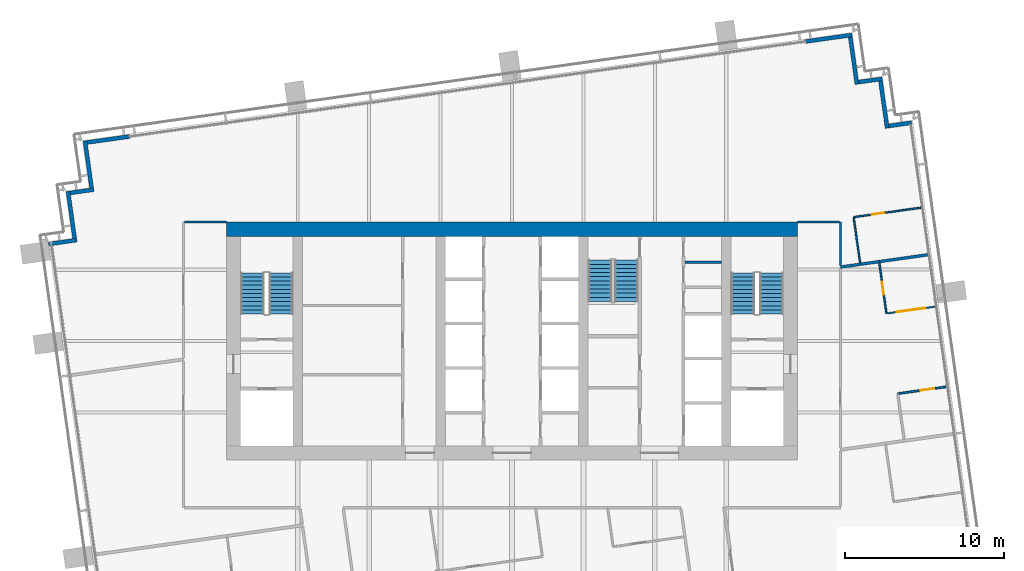
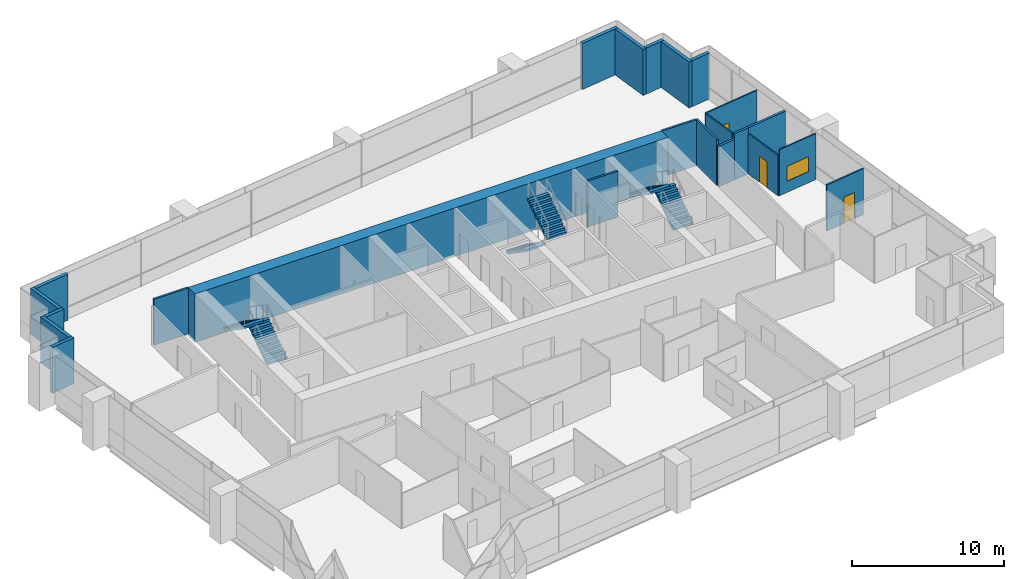
# One storey, part 12 of 18: 23 walls, 6 stair flights, 3 doors, 1 window, 4 openings, 3 elements without a shape of their own.
"""IFC4 building model written with IfcOpenShell, lengths in metres."""

from ifc_helpers import new_model, si_unit, direction, frame, frame_2d, origin, place, context, subcontext, project, spatial, polyline, rectangle, outline, extrude, material, layer, layer_set, type_object, element, fill, aggregate, save


model = new_model("IFC4")

# Units and contexts
model_context = context("Model", 3, precision=1e-05, world=origin(), true_north=direction((0.0, 1.0)))
body_context = subcontext(model_context, "Body", "Model", "MODEL_VIEW")
ifc_project = project(units=[si_unit("LENGTHUNIT", "METRE"), si_unit("AREAUNIT", "SQUARE_METRE"), si_unit("VOLUMEUNIT", "CUBIC_METRE"), si_unit("PLANEANGLEUNIT", "RADIAN"), si_unit("MASSUNIT", "GRAM", prefix="KILO")], contexts=[model_context])

# Site, building, storey
site_placement = place(None, origin())
site = spatial("IfcSite", under=ifc_project, at=site_placement, CompositionType="ELEMENT")
building_placement = place(site_placement, origin())
building = spatial("IfcBuilding", under=site, at=building_placement, Name="Rattan Terrace Tower", CompositionType="ELEMENT")
storey_placement = place(building_placement, frame((0.0, 0.0, 188.0)))
storey = spatial("IfcBuildingStorey", under=building, at=storey_placement, Name="L43", CompositionType="ELEMENT", Elevation=188.0)

# Walls
ifc_material_1 = material(Name="Gypsum board partition")
ifc_layer_1 = layer(ifc_material_1, 0.14990234375)
ifc_layer_set_1 = layer_set([ifc_layer_1], Name="Core partition 150")
wall_type_1 = type_object("IfcWallType", Name="Core partition 150", PredefinedType="PARTITIONING", material=ifc_layer_set_1)
wall_1_placement = place(storey_placement, frame((10.89990234375, 4.968017578125, 0.0), z_axis=(0.0, 0.0, 1.0), x_axis=(1.0, 0.0, 0.0)))
element("IfcWall", 1, at=wall_1_placement, inside=storey, type_object=wall_type_1, Name="Riser room wall", PredefinedType="PARTITIONING", context=body_context, shape_type="SweptSolid", body=[
    extrude(rectangle(XDim=2.300048828125, YDim=0.14990234375, at=frame_2d((1.14990234375, 0.0))), origin(), (0.0, 0.0, 1.0), 3.699951171875),
])
ifc_material_2 = material(Name="Concrete C60/75", Category="concrete")
ifc_layer_2 = layer(ifc_material_2, 0.89990234375)
ifc_layer_set_2 = layer_set([ifc_layer_2], Name="Core ring wall 900 C60/75")
wall_type_2 = type_object("IfcWallType", Name="Core ring wall 900 C60/75", PredefinedType="SHEAR", material=ifc_layer_set_2)
wall_2_placement = place(storey_placement, frame((-18.0, 7.050048828125, -0.199951171875), z_axis=(0.0, 0.0, 1.0), x_axis=(1.0, 0.0, 0.0)))
element("IfcWall", 2, at=wall_2_placement, inside=storey, type_object=wall_type_2, Name="Rear core wall north", PredefinedType="SHEAR", context=body_context, shape_type="SweptSolid", body=[
    extrude(rectangle(XDim=36.0, YDim=0.89990234375, at=frame_2d((18.0, 0.0))), origin(), (0.0, 0.0, 1.0), 3.89990234375),
])
ifc_material_3 = material(Name="Insulated aluminium-clad stud wall", Category="aluminium")
ifc_layer_3 = layer(ifc_material_3, 0.25)
ifc_layer_set_3 = layer_set([ifc_layer_3], Name="Facade Riser Wall 250")
wall_type_3 = type_object("IfcWallType", Name="Facade Riser Wall 250", PredefinedType="SOLIDWALL", material=ifc_layer_set_3)
wall_3_placement = place(storey_placement, frame((25.18359375, 13.758056640625, 0.0), z_axis=(0.0, 0.0, 1.0), x_axis=(-0.9902493448, -0.13930626376, 0.0)))
element("IfcWall", 3, at=wall_3_placement, inside=storey, type_object=wall_type_3, Name="Riser wall L43-6", PredefinedType="SOLIDWALL", context=body_context, shape_type="SweptSolid", body=[
    extrude(rectangle(XDim=1.45458984375, YDim=0.25, at=frame_2d((0.727294921875, 0.0))), origin(), (0.0, 0.0, 1.0), 3.699951171875),
])
wall_4_placement = place(storey_placement, frame((23.63671875, 13.414306640625, 0.0), z_axis=(0.0, 0.0, 1.0), x_axis=(-0.139313431826, 0.990248336385, 0.0)))
element("IfcWall", 4, at=wall_4_placement, inside=storey, type_object=wall_type_3, Name="Riser wall L43-7", PredefinedType="SOLIDWALL", context=body_context, shape_type="SweptSolid", body=[
    extrude(rectangle(XDim=3.000244140625, YDim=0.25, at=frame_2d((1.5, 0.0))), origin(), (0.0, 0.0, 1.0), 3.699951171875),
])
wall_5_placement = place(storey_placement, frame((23.3251953125, 16.5263671875, 0.0), z_axis=(0.0, 0.0, 1.0), x_axis=(-0.990243596651, -0.13934711799, 0.0)))
element("IfcWall", 5, at=wall_5_placement, inside=storey, type_object=wall_type_3, Name="Riser wall L43-8", PredefinedType="SOLIDWALL", context=body_context, shape_type="SweptSolid", body=[
    extrude(rectangle(XDim=1.499755859375, YDim=0.25, at=frame_2d((0.75, 0.0))), origin(), (0.0, 0.0, 1.0), 3.699951171875),
])
wall_6_placement = place(storey_placement, frame((21.733642578125, 16.17626953125, 0.0), z_axis=(0.0, 0.0, 1.0), x_axis=(-0.139313431826, 0.990248336385, 0.0)))
element("IfcWall", 6, at=wall_6_placement, inside=storey, type_object=wall_type_3, Name="Riser wall L43-9", PredefinedType="SOLIDWALL", context=body_context, shape_type="SweptSolid", body=[
    extrude(rectangle(XDim=3.000244140625, YDim=0.25, at=frame_2d((1.5, 0.0))), origin(), (0.0, 0.0, 1.0), 3.699951171875),
])
wall_7_placement = place(storey_placement, frame((21.422119140625, 19.288330078125, 0.0), z_axis=(0.0, 0.0, 1.0), x_axis=(-0.990246427036, -0.139327002919, 0.0)))
element("IfcWall", 7, at=wall_7_placement, inside=storey, type_object=wall_type_3, Name="Riser wall L43-10", PredefinedType="SOLIDWALL", context=body_context, shape_type="SweptSolid", body=[
    extrude(rectangle(XDim=2.954345703125, YDim=0.25, at=frame_2d((1.47705078125, 0.0))), origin(), (0.0, 0.0, 1.0), 3.699951171875),
])
wall_8_placement = place(storey_placement, frame((-24.08544921875, 12.892578125, 0.0), z_axis=(0.0, 0.0, 1.0), x_axis=(-0.990255800966, -0.139260362823, 0.0)))
element("IfcWall", 8, at=wall_8_placement, inside=storey, type_object=wall_type_3, Name="Riser wall L43-11", PredefinedType="SOLIDWALL", context=body_context, shape_type="SweptSolid", body=[
    extrude(rectangle(XDim=2.705078125, YDim=0.25, at=frame_2d((1.3525390625, 0.0))), origin(), (0.0, 0.0, 1.0), 3.699951171875),
])
wall_9_placement = place(storey_placement, frame((-26.9052734375, 12.6220703125, 0.0), z_axis=(0.0, 0.0, 1.0), x_axis=(0.139313431826, -0.990248336385, 0.0)))
element("IfcWall", 9, at=wall_9_placement, inside=storey, type_object=wall_type_3, Name="Riser wall L43-12", PredefinedType="SOLIDWALL", context=body_context, shape_type="SweptSolid", body=[
    extrude(rectangle(XDim=3.000244140625, YDim=0.25, at=frame_2d((1.5, 0.0))), origin(), (0.0, 0.0, 1.0), 3.699951171875),
])
wall_10_placement = place(storey_placement, frame((-26.34619140625, 9.54443359375, 0.0), z_axis=(0.0, 0.0, 1.0), x_axis=(-0.990368090482, -0.13845954411, 0.0)))
element("IfcWall", 10, at=wall_10_placement, inside=storey, type_object=wall_type_3, Name="Riser wall L43-13", PredefinedType="SOLIDWALL", context=body_context, shape_type="SweptSolid", body=[
    extrude(rectangle(XDim=1.50048828125, YDim=0.25, at=frame_2d((0.750244140625, 0.0))), origin(), (0.0, 0.0, 1.0), 3.699951171875),
])
wall_11_placement = place(storey_placement, frame((-27.973388671875, 9.443115234375, 0.0), z_axis=(0.0, 0.0, 1.0), x_axis=(0.139313431826, -0.990248336385, 0.0)))
element("IfcWall", 11, at=wall_11_placement, inside=storey, type_object=wall_type_3, Name="Riser wall L43-14", PredefinedType="SOLIDWALL", context=body_context, shape_type="SweptSolid", body=[
    extrude(rectangle(XDim=3.000244140625, YDim=0.25, at=frame_2d((1.5, 0.0))), origin(), (0.0, 0.0, 1.0), 3.699951171875),
])
wall_12_placement = place(storey_placement, frame((-27.414306640625, 6.36572265625, 0.0), z_axis=(0.0, 0.0, 1.0), x_axis=(-0.990256286673, -0.139256908998, 0.0)))
element("IfcWall", 12, at=wall_12_placement, inside=storey, type_object=wall_type_3, Name="Riser wall L43-15", PredefinedType="SOLIDWALL", context=body_context, shape_type="SweptSolid", body=[
    extrude(rectangle(XDim=1.800537109375, YDim=0.25, at=frame_2d((0.900390625, 0.0))), origin(), (0.0, 0.0, 1.0), 3.699951171875),
])
ifc_material_4 = material(Name="Double steel stud acoustic partition, gypsum board, mineral wool, fire rated", Category="steel")
ifc_layer_4 = layer(ifc_material_4, 0.179931640625)
ifc_layer_set_4 = layer_set([ifc_layer_4], Name="Floors Acoustic Party Wall 180")
wall_type_4 = type_object("IfcWallType", Name="Floors Acoustic Party Wall 180", PredefinedType="PARTITIONING", material=ifc_layer_set_4)
wall_13_placement = place(storey_placement, frame((20.699951171875, 4.6650390625, 0.0), z_axis=(0.0, 0.0, 1.0), x_axis=(0.99023431529, 0.139413058294, 0.0)))
element("IfcWall", 13, at=wall_13_placement, inside=storey, type_object=wall_type_4, Name="pt-L43-044", PredefinedType="PARTITIONING", context=body_context, shape_type="SweptSolid", body=[
    extrude(rectangle(XDim=1.276611328125, YDim=0.179931640625, at=frame_2d((0.63818359375, 0.0))), origin(), (0.0, 0.0, 1.0), 3.25),
])
wall_14_placement = place(storey_placement, frame((21.964111328125, 4.843017578125, 0.0), z_axis=(0.0, 0.0, 1.0), x_axis=(0.990277975586, 0.139102591888, 0.0)))
element("IfcWall", 14, at=wall_14_placement, inside=storey, type_object=wall_type_4, Name="pt-L43-045", PredefinedType="PARTITIONING", context=body_context, shape_type="SweptSolid", body=[
    extrude(rectangle(XDim=1.179443359375, YDim=0.179931640625, at=frame_2d((0.58984375, 0.0))), origin(), (0.0, 0.0, 1.0), 3.699951171875),
])
wall_15_placement = place(storey_placement, frame((23.132080078125, 5.007080078125, 0.0), z_axis=(0.0, 0.0, 1.0), x_axis=(0.990260846741, 0.139224478493, 0.0)))
element("IfcWall", 15, at=wall_15_placement, inside=storey, type_object=wall_type_4, Name="pt-L43-046", PredefinedType="PARTITIONING", context=body_context, shape_type="SweptSolid", body=[
    extrude(rectangle(XDim=3.0810546875, YDim=0.179931640625, at=frame_2d((1.54052734375, 0.0))), origin(), (0.0, 0.0, 1.0), 3.699951171875),
])

# Wall, opening, door
ifc_material_5 = material(Name="Gypsum board partition on steel studs", Category="steel")
ifc_layer_5 = layer(ifc_material_5, 0.10009765625)
ifc_layer_set_5 = layer_set([ifc_layer_5], Name="Floors Partition 100")
wall_type_5 = type_object("IfcWallType", Name="Floors Partition 100", PredefinedType="PARTITIONING", material=ifc_layer_set_5)
wall_16_placement = place(storey_placement, frame((23.14501953125, 4.91796875, 0.0), z_axis=(0.0, 0.0, 1.0), x_axis=(0.139249005145, -0.990257398138, 0.0)))
wall_16 = element("IfcWall", 16, at=wall_16_placement, inside=storey, type_object=wall_type_5, Name="pt-L43-042", PredefinedType="PARTITIONING", context=body_context, shape_type="SweptSolid", body=[
    extrude(rectangle(XDim=3.210205078125, YDim=0.10009765625, at=frame_2d((1.60498046875, 0.0))), origin(), (0.0, 0.0, 1.0), 3.25),
])
opening_1_placement = place(wall_16_placement, frame((1.205078125, 0.0, 0.0)))
opening_1 = element("IfcOpeningElement", 17, at=opening_1_placement, cuts=wall_16, Name="Opening L43-D109", PredefinedType="OPENING", context=body_context, shape_type="SweptSolid", body=[
    extrude(rectangle(XDim=0.800048828125, YDim=2.10009765625, at=frame_2d((0.39990234375, 1.050048828125))), frame((0.0, 0.060546875, 0.0), z_axis=(0.0, -1.0, 0.0), x_axis=(1.0, 0.0, 0.0)), (0.0, 0.0, 1.0), 0.12109375),
])
ifc_material_6 = material(Name="Solid core timber door, painted", Category="wood")
door_type_1 = type_object("IfcDoorType", Name="Floors Store Door 800x2100", OperationType="NOTDEFINED", PredefinedType="DOOR", material=ifc_material_6)
door_1_placement = place(opening_1_placement, origin())
door_1 = element("IfcDoor", 18, at=door_1_placement, inside=storey, type_object=door_type_1, Name="d-L43-109", OperationType="SINGLE_SWING_RIGHT", OverallHeight=2.10009765625, OverallWidth=0.800048828125, PredefinedType="DOOR", context=body_context, shape_type="SweptSolid", body=[
    extrude(rectangle(XDim=0.800048828125, YDim=2.10009765625, at=frame_2d((0.39990234375, 1.050048828125))), frame((0.0, 0.02490234375, 0.0), z_axis=(0.0, -1.0, 0.0), x_axis=(1.0, 0.0, 0.0)), (0.0, 0.0, 1.0), 0.050048828125),
])
fill(opening_1, door_1)

# Wall, opening, window
wall_17_placement = place(storey_placement, frame((23.64208984375, 1.74609375, 0.0), z_axis=(0.0, 0.0, 1.0), x_axis=(0.990294755806, 0.138983080349, 0.0)))
wall_17 = element("IfcWall", 19, at=wall_17_placement, inside=storey, type_object=wall_type_5, Name="pt-L43-043", PredefinedType="PARTITIONING", context=body_context, shape_type="SweptSolid", body=[
    extrude(rectangle(XDim=3.0283203125, YDim=0.10009765625, at=frame_2d((1.51416015625, 0.0))), origin(), (0.0, 0.0, 1.0), 3.699951171875),
])
opening_2_placement = place(wall_17_placement, frame((0.614990234375, 0.0, 0.89990234375)))
opening_2 = element("IfcOpeningElement", 20, at=opening_2_placement, cuts=wall_17, Name="Opening L43-W100", PredefinedType="OPENING", context=body_context, shape_type="SweptSolid", body=[
    extrude(rectangle(XDim=1.800048828125, YDim=1.199951171875, at=frame_2d((0.89990234375, 0.60009765625))), frame((0.0, 0.060546875, 0.0), z_axis=(0.0, -1.0, 0.0), x_axis=(1.0, 0.0, 0.0)), (0.0, 0.0, 1.0), 0.12109375),
])
ifc_material_7 = material(Name="Glass, clear, fixed in aluminium frame", Category="aluminium")
window_type = type_object("IfcWindowType", Name="Interior Vision Window 1800x1200", PartitioningType="SINGLE_PANEL", PredefinedType="WINDOW", material=ifc_material_7)
window_placement = place(opening_2_placement, origin())
window = element("IfcWindow", 21, at=window_placement, inside=storey, type_object=window_type, Name="w-L43-100", OverallHeight=1.199951171875, OverallWidth=1.800048828125, PartitioningType="SINGLE_PANEL", PredefinedType="WINDOW", context=body_context, shape_type="SweptSolid", body=[
    extrude(rectangle(XDim=1.800048828125, YDim=1.199951171875, at=frame_2d((0.89990234375, 0.60009765625))), frame((0.0, 0.030029296875, 0.0), z_axis=(0.0, -1.0, 0.0), x_axis=(1.0, 0.0, 0.0)), (0.0, 0.0, 1.0), 0.06005859375),
])
fill(opening_2, window)

# Wall
wall_18_placement = place(storey_placement, frame((21.532958984375, 7.760986328125, 0.0), z_axis=(0.0, 0.0, 1.0), x_axis=(0.139150189669, -0.990271288443, 0.0)))
element("IfcWall", 22, at=wall_18_placement, inside=storey, type_object=wall_type_5, Name="pt-L43-047", PredefinedType="PARTITIONING", context=body_context, shape_type="SweptSolid", body=[
    extrude(rectangle(XDim=2.85986328125, YDim=0.10009765625, at=frame_2d((1.429931640625, 0.0))), origin(), (0.0, 0.0, 1.0), 3.699951171875),
])

# Wall, opening, door
wall_19_placement = place(storey_placement, frame((25.763916015625, 8.406005859375, 0.0), z_axis=(0.0, 0.0, 1.0), x_axis=(-0.99028887957, -0.139024943805, 0.0)))
wall_19 = element("IfcWall", 23, at=wall_19_placement, inside=storey, type_object=wall_type_5, Name="pt-L43-048", PredefinedType="PARTITIONING", context=body_context, shape_type="SweptSolid", body=[
    extrude(rectangle(XDim=4.279541015625, YDim=0.10009765625, at=frame_2d((2.1396484375, 0.0))), origin(), (0.0, 0.0, 1.0), 3.699951171875),
])
opening_3_placement = place(wall_19_placement, frame((2.3359375, 0.0, 0.0)))
opening_3 = element("IfcOpeningElement", 24, at=opening_3_placement, cuts=wall_19, Name="Opening L43-D111", PredefinedType="OPENING", context=body_context, shape_type="SweptSolid", body=[
    extrude(rectangle(XDim=0.800048828125, YDim=2.10009765625, at=frame_2d((0.39990234375, 1.050048828125))), frame((0.0, 0.060546875, 0.0), z_axis=(0.0, -1.0, 0.0), x_axis=(1.0, 0.0, 0.0)), (0.0, 0.0, 1.0), 0.12109375),
])
door_2_placement = place(opening_3_placement, origin())
door_2 = element("IfcDoor", 25, at=door_2_placement, inside=storey, type_object=door_type_1, Name="d-L43-111", OperationType="SINGLE_SWING_RIGHT", OverallHeight=2.10009765625, OverallWidth=0.800048828125, PredefinedType="DOOR", context=body_context, shape_type="SweptSolid", body=[
    extrude(rectangle(XDim=0.800048828125, YDim=2.10009765625, at=frame_2d((0.39990234375, 1.050048828125))), frame((0.0, 0.02490234375, 0.0), z_axis=(0.0, -1.0, 0.0), x_axis=(1.0, 0.0, 0.0)), (0.0, 0.0, 1.0), 0.050048828125),
])
fill(opening_3, door_2)

# Walls
ifc_material_8 = material(Name="Gypsum board partition on steel studs, fire rated", Category="steel")
ifc_layer_6 = layer(ifc_material_8, 0.14990234375)
ifc_layer_set_6 = layer_set([ifc_layer_6], Name="Floors Tenancy Wall 150")
wall_type_6 = type_object("IfcWallType", Name="Floors Tenancy Wall 150", PredefinedType="PARTITIONING", material=ifc_layer_set_6)
wall_20_placement = place(storey_placement, frame((-20.625, 7.5009765625, 0.0), z_axis=(0.0, 0.0, 1.0), x_axis=(1.0, 0.0, 0.0)))
element("IfcWall", 26, at=wall_20_placement, inside=storey, type_object=wall_type_6, Name="pt-L43-012", PredefinedType="PARTITIONING", context=body_context, shape_type="SweptSolid", body=[
    extrude(rectangle(XDim=2.625, YDim=0.14990234375, at=frame_2d((1.3125, 0.0))), origin(), (0.0, 0.0, 1.0), 3.699951171875),
])
wall_21_placement = place(storey_placement, frame((18.0, 7.5009765625, 0.0), z_axis=(0.0, 0.0, 1.0), x_axis=(1.0, 0.0, 0.0)))
element("IfcWall", 27, at=wall_21_placement, inside=storey, type_object=wall_type_6, Name="pt-L43-013", PredefinedType="PARTITIONING", context=body_context, shape_type="SweptSolid", body=[
    extrude(rectangle(XDim=2.6240234375, YDim=0.14990234375, at=frame_2d((1.31201171875, 0.0))), origin(), (0.0, 0.0, 1.0), 3.699951171875),
])
wall_22_placement = place(storey_placement, frame((20.698974609375, 7.5, 0.0), z_axis=(0.0, 0.0, 1.0), x_axis=(0.0, -1.0, 0.0)))
element("IfcWall", 28, at=wall_22_placement, inside=storey, type_object=wall_type_6, Name="pt-L43-014", PredefinedType="PARTITIONING", context=body_context, shape_type="SweptSolid", body=[
    extrude(rectangle(XDim=2.73291015625, YDim=0.14990234375, at=frame_2d((1.366455078125, 0.0))), origin(), (0.0, 0.0, 1.0), 3.699951171875),
])

# Wall, opening, door
ifc_material_9 = material(Name="Moisture resistant gypsum board partition on steel studs with service cavity", Category="steel")
ifc_layer_7 = layer(ifc_material_9, 0.1201171875)
ifc_layer_set_7 = layer_set([ifc_layer_7], Name="Floors Wet Wall 120")
wall_type_7 = type_object("IfcWallType", Name="Floors Wet Wall 120", PredefinedType="PARTITIONING", material=ifc_layer_set_7)
wall_23_placement = place(storey_placement, frame((27.35205078125, -2.883056640625, 0.0), z_axis=(0.0, 0.0, 1.0), x_axis=(-0.990260846741, -0.139224478493, 0.0)))
wall_23 = element("IfcWall", 29, at=wall_23_placement, inside=storey, type_object=wall_type_7, Name="pt-L43-041", PredefinedType="PARTITIONING", context=body_context, shape_type="SweptSolid", body=[
    extrude(rectangle(XDim=3.0810546875, YDim=0.1201171875, at=frame_2d((1.54052734375, 0.0))), origin(), (0.0, 0.0, 1.0), 3.699951171875),
])
opening_4_placement = place(wall_23_placement, frame((0.75390625, 0.0, 0.0)))
opening_4 = element("IfcOpeningElement", 30, at=opening_4_placement, cuts=wall_23, Name="Opening L43-D108", PredefinedType="OPENING", context=body_context, shape_type="SweptSolid", body=[
    extrude(rectangle(XDim=0.89990234375, YDim=2.10009765625, at=frame_2d((0.449951171875, 1.050048828125))), frame((0.0, 0.070556640625, 0.0), z_axis=(0.0, -1.0, 0.0), x_axis=(1.0, 0.0, 0.0)), (0.0, 0.0, 1.0), 0.14111328125),
])
ifc_material_10 = material(Name="Solid core timber door, painted", Category="wood")
door_type_2 = type_object("IfcDoorType", Name="Floors Door 900x2100", OperationType="NOTDEFINED", PredefinedType="DOOR", material=ifc_material_10)
door_3_placement = place(opening_4_placement, origin())
door_3 = element("IfcDoor", 31, at=door_3_placement, inside=storey, type_object=door_type_2, Name="d-L43-108", OperationType="SINGLE_SWING_LEFT", OverallHeight=2.10009765625, OverallWidth=0.89990234375, PredefinedType="DOOR", context=body_context, shape_type="SweptSolid", body=[
    extrude(rectangle(XDim=0.89990234375, YDim=2.10009765625, at=frame_2d((0.449951171875, 1.050048828125))), frame((0.0, 0.02490234375, 0.0), z_axis=(0.0, -1.0, 0.0), x_axis=(1.0, 0.0, 0.0)), (0.0, 0.0, 1.0), 0.050048828125),
])
fill(opening_4, door_3)

# Stair, stair flights
ifc_material_11 = material(Name="Concrete C40/50", Category="concrete")
stair_type = type_object("IfcStairType", Name="Core exit stair 1500", PredefinedType="HALF_TURN_STAIR", material=ifc_material_11)
stair_1_placement = place(storey_placement, origin())
stair_1 = element("IfcStair", 32, at=stair_1_placement, inside=storey, type_object=stair_type, Name="L43 exit stair 1", PredefinedType="HALF_TURN_STAIR")
ifc_material_12 = material(Name="Concrete C40/50", Category="concrete")
stair_flight_type = type_object("IfcStairFlightType", Name="Core exit stair flight 1500", PredefinedType="STRAIGHT", material=ifc_material_12)
stair_flight_1_placement = place(storey_placement, frame((-14.550048828125, 1.699951171875, 0.0), z_axis=(0.0, 0.0, 1.0), x_axis=(0.0, 1.0, 0.0)))
stair_flight_1 = element("IfcStairFlight", 33, at=stair_flight_1_placement, type_object=stair_flight_type, Name="S1 flight 1", NumberOfRisers=11, NumberOfTreads=10, PredefinedType="STRAIGHT", RiserHeight=0.177272727, TreadLength=0.26, context=body_context, shape_type="SweptSolid", body=[
    extrude(outline(polyline([(0.0, 0.0), (0.0, 0.17724609375), (0.260009765625, 0.17724609375), (0.260009765625, 0.3544921875), (0.52001953125, 0.3544921875), (0.52001953125, 0.53173828125), (0.780029296875, 0.53173828125), (0.780029296875, 0.708984375), (1.0400390625, 0.708984375), (1.0400390625, 0.886474609375), (1.300048828125, 0.886474609375), (1.300048828125, 1.063720703125), (1.56005859375, 1.063720703125), (1.56005859375, 1.240966796875), (1.820068359375, 1.240966796875), (1.820068359375, 1.418212890625), (2.080078125, 1.418212890625), (2.080078125, 1.595458984375), (2.340087890625, 1.595458984375), (2.340087890625, 1.772705078125), (2.60009765625, 1.772705078125), (2.60009765625, 1.949951171875), (2.60009765625, 1.59130859375), (0.26611328125, 0.0), (0.0, 0.0)])), frame((0.0, 0.75, 0.0), z_axis=(0.0, -1.0, 0.0), x_axis=(1.0, 0.0, 0.0)), (0.0, 0.0, 1.0), 1.5),
])
stair_flight_2_placement = place(storey_placement, frame((-16.35009765625, 4.300048828125, 1.949951171875), z_axis=(0.0, 0.0, 1.0), x_axis=(0.0, -1.0, 0.0)))
stair_flight_2 = element("IfcStairFlight", 34, at=stair_flight_2_placement, type_object=stair_flight_type, Name="S1 flight 2", NumberOfRisers=11, NumberOfTreads=10, PredefinedType="STRAIGHT", RiserHeight=0.177272727, TreadLength=0.26, context=body_context, shape_type="SweptSolid", body=[
    extrude(outline(polyline([(0.0, 0.0), (0.0, 0.17724609375), (0.260009765625, 0.17724609375), (0.260009765625, 0.3544921875), (0.52001953125, 0.3544921875), (0.52001953125, 0.53173828125), (0.780029296875, 0.53173828125), (0.780029296875, 0.708984375), (1.0400390625, 0.708984375), (1.0400390625, 0.886474609375), (1.300048828125, 0.886474609375), (1.300048828125, 1.063720703125), (1.56005859375, 1.063720703125), (1.56005859375, 1.240966796875), (1.820068359375, 1.240966796875), (1.820068359375, 1.418212890625), (2.080078125, 1.418212890625), (2.080078125, 1.595458984375), (2.340087890625, 1.595458984375), (2.340087890625, 1.772705078125), (2.60009765625, 1.772705078125), (2.60009765625, 1.949951171875), (2.60009765625, 1.59130859375), (0.26611328125, 0.0), (0.0, 0.0)])), frame((0.0, 0.75, 0.0), z_axis=(0.0, -1.0, 0.0), x_axis=(1.0, 0.0, 0.0)), (0.0, 0.0, 1.0), 1.5),
])
aggregate(stair_1, [stair_flight_1, stair_flight_2])

stair_2_placement = place(storey_placement, origin())
stair_2 = element("IfcStair", 35, at=stair_2_placement, inside=storey, type_object=stair_type, Name="L43 exit stair 2", PredefinedType="HALF_TURN_STAIR")
stair_flight_3_placement = place(storey_placement, frame((16.35009765625, 1.699951171875, 0.0), z_axis=(0.0, 0.0, 1.0), x_axis=(0.0, 1.0, 0.0)))
stair_flight_3 = element("IfcStairFlight", 36, at=stair_flight_3_placement, type_object=stair_flight_type, Name="S2 flight 1", NumberOfRisers=11, NumberOfTreads=10, PredefinedType="STRAIGHT", RiserHeight=0.177272727, TreadLength=0.26, context=body_context, shape_type="SweptSolid", body=[
    extrude(outline(polyline([(0.0, 0.0), (0.0, 0.17724609375), (0.260009765625, 0.17724609375), (0.260009765625, 0.3544921875), (0.52001953125, 0.3544921875), (0.52001953125, 0.53173828125), (0.780029296875, 0.53173828125), (0.780029296875, 0.708984375), (1.0400390625, 0.708984375), (1.0400390625, 0.886474609375), (1.300048828125, 0.886474609375), (1.300048828125, 1.063720703125), (1.56005859375, 1.063720703125), (1.56005859375, 1.240966796875), (1.820068359375, 1.240966796875), (1.820068359375, 1.418212890625), (2.080078125, 1.418212890625), (2.080078125, 1.595458984375), (2.340087890625, 1.595458984375), (2.340087890625, 1.772705078125), (2.60009765625, 1.772705078125), (2.60009765625, 1.949951171875), (2.60009765625, 1.59130859375), (0.26611328125, 0.0), (0.0, 0.0)])), frame((0.0, 0.75, 0.0), z_axis=(0.0, -1.0, 0.0), x_axis=(1.0, 0.0, 0.0)), (0.0, 0.0, 1.0), 1.5),
])
stair_flight_4_placement = place(storey_placement, frame((14.550048828125, 4.300048828125, 1.949951171875), z_axis=(0.0, 0.0, 1.0), x_axis=(0.0, -1.0, 0.0)))
stair_flight_4 = element("IfcStairFlight", 37, at=stair_flight_4_placement, type_object=stair_flight_type, Name="S2 flight 2", NumberOfRisers=11, NumberOfTreads=10, PredefinedType="STRAIGHT", RiserHeight=0.177272727, TreadLength=0.26, context=body_context, shape_type="SweptSolid", body=[
    extrude(outline(polyline([(0.0, 0.0), (0.0, 0.17724609375), (0.260009765625, 0.17724609375), (0.260009765625, 0.3544921875), (0.52001953125, 0.3544921875), (0.52001953125, 0.53173828125), (0.780029296875, 0.53173828125), (0.780029296875, 0.708984375), (1.0400390625, 0.708984375), (1.0400390625, 0.886474609375), (1.300048828125, 0.886474609375), (1.300048828125, 1.063720703125), (1.56005859375, 1.063720703125), (1.56005859375, 1.240966796875), (1.820068359375, 1.240966796875), (1.820068359375, 1.418212890625), (2.080078125, 1.418212890625), (2.080078125, 1.595458984375), (2.340087890625, 1.595458984375), (2.340087890625, 1.772705078125), (2.60009765625, 1.772705078125), (2.60009765625, 1.949951171875), (2.60009765625, 1.59130859375), (0.26611328125, 0.0), (0.0, 0.0)])), frame((0.0, 0.75, 0.0), z_axis=(0.0, -1.0, 0.0), x_axis=(1.0, 0.0, 0.0)), (0.0, 0.0, 1.0), 1.5),
])
aggregate(stair_2, [stair_flight_3, stair_flight_4])

stair_3_placement = place(storey_placement, origin())
stair_3 = element("IfcStair", 38, at=stair_3_placement, inside=storey, type_object=stair_type, Name="L43 exit stair 3", PredefinedType="HALF_TURN_STAIR")
stair_flight_5_placement = place(storey_placement, frame((5.550048828125, 5.10009765625, 0.0), z_axis=(0.0, 0.0, 1.0), x_axis=(0.0, -1.0, 0.0)))
stair_flight_5 = element("IfcStairFlight", 39, at=stair_flight_5_placement, type_object=stair_flight_type, Name="S3 flight 1", NumberOfRisers=11, NumberOfTreads=10, PredefinedType="STRAIGHT", RiserHeight=0.177272727, TreadLength=0.26, context=body_context, shape_type="SweptSolid", body=[
    extrude(outline(polyline([(0.0, 0.0), (0.0, 0.17724609375), (0.260009765625, 0.17724609375), (0.260009765625, 0.3544921875), (0.52001953125, 0.3544921875), (0.52001953125, 0.53173828125), (0.780029296875, 0.53173828125), (0.780029296875, 0.708984375), (1.0400390625, 0.708984375), (1.0400390625, 0.886474609375), (1.300048828125, 0.886474609375), (1.300048828125, 1.063720703125), (1.56005859375, 1.063720703125), (1.56005859375, 1.240966796875), (1.820068359375, 1.240966796875), (1.820068359375, 1.418212890625), (2.080078125, 1.418212890625), (2.080078125, 1.595458984375), (2.340087890625, 1.595458984375), (2.340087890625, 1.772705078125), (2.60009765625, 1.772705078125), (2.60009765625, 1.949951171875), (2.60009765625, 1.59130859375), (0.26611328125, 0.0), (0.0, 0.0)])), frame((0.0, 0.75, 0.0), z_axis=(0.0, -1.0, 0.0), x_axis=(1.0, 0.0, 0.0)), (0.0, 0.0, 1.0), 1.5),
])
stair_flight_6_placement = place(storey_placement, frame((7.199951171875, 2.5, 1.949951171875), z_axis=(0.0, 0.0, 1.0), x_axis=(0.0, 1.0, 0.0)))
stair_flight_6 = element("IfcStairFlight", 40, at=stair_flight_6_placement, type_object=stair_flight_type, Name="S3 flight 2", NumberOfRisers=11, NumberOfTreads=10, PredefinedType="STRAIGHT", RiserHeight=0.177272727, TreadLength=0.26, context=body_context, shape_type="SweptSolid", body=[
    extrude(outline(polyline([(0.0, 0.0), (0.0, 0.17724609375), (0.260009765625, 0.17724609375), (0.260009765625, 0.3544921875), (0.52001953125, 0.3544921875), (0.52001953125, 0.53173828125), (0.780029296875, 0.53173828125), (0.780029296875, 0.708984375), (1.0400390625, 0.708984375), (1.0400390625, 0.886474609375), (1.300048828125, 0.886474609375), (1.300048828125, 1.063720703125), (1.56005859375, 1.063720703125), (1.56005859375, 1.240966796875), (1.820068359375, 1.240966796875), (1.820068359375, 1.418212890625), (2.080078125, 1.418212890625), (2.080078125, 1.595458984375), (2.340087890625, 1.595458984375), (2.340087890625, 1.772705078125), (2.60009765625, 1.772705078125), (2.60009765625, 1.949951171875), (2.60009765625, 1.59130859375), (0.26611328125, 0.0), (0.0, 0.0)])), frame((0.0, 0.75, 0.0), z_axis=(0.0, -1.0, 0.0), x_axis=(1.0, 0.0, 0.0)), (0.0, 0.0, 1.0), 1.5),
])
aggregate(stair_3, [stair_flight_5, stair_flight_6])

save(model, "model.ifc")
